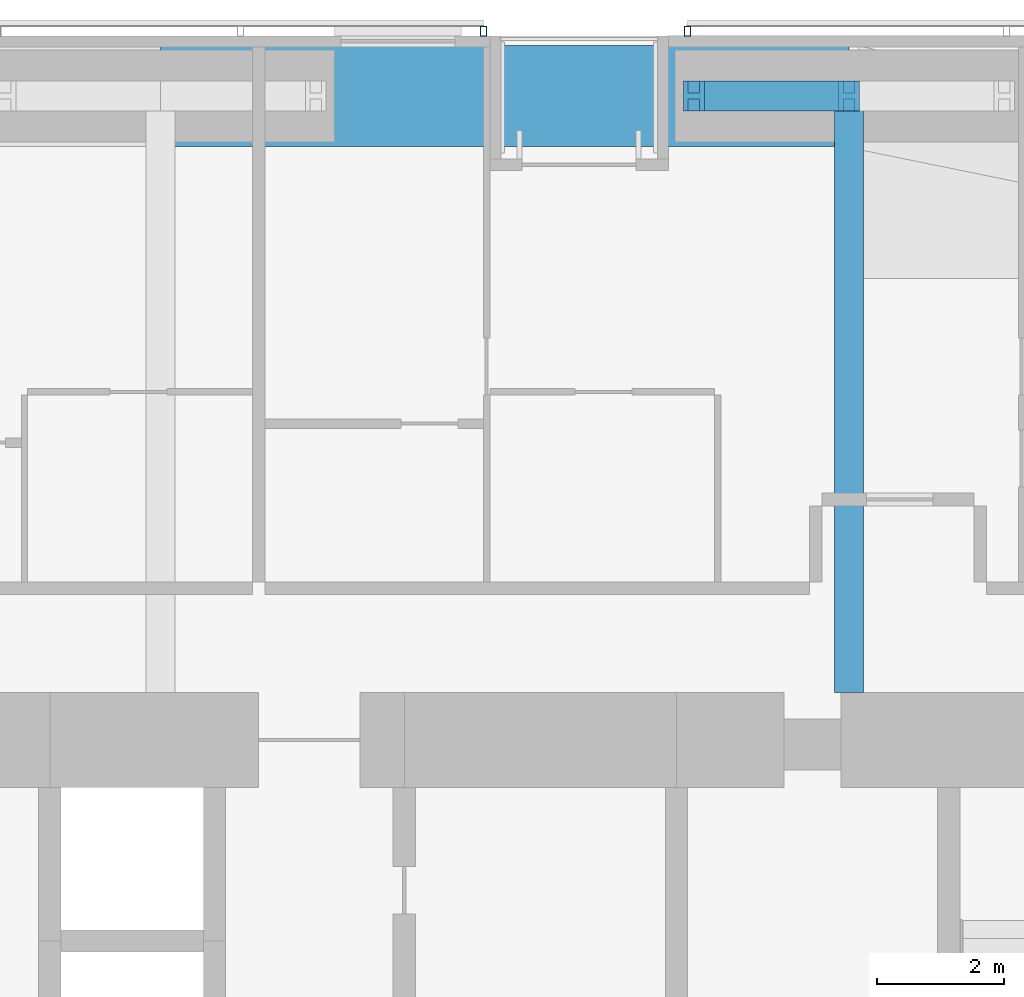
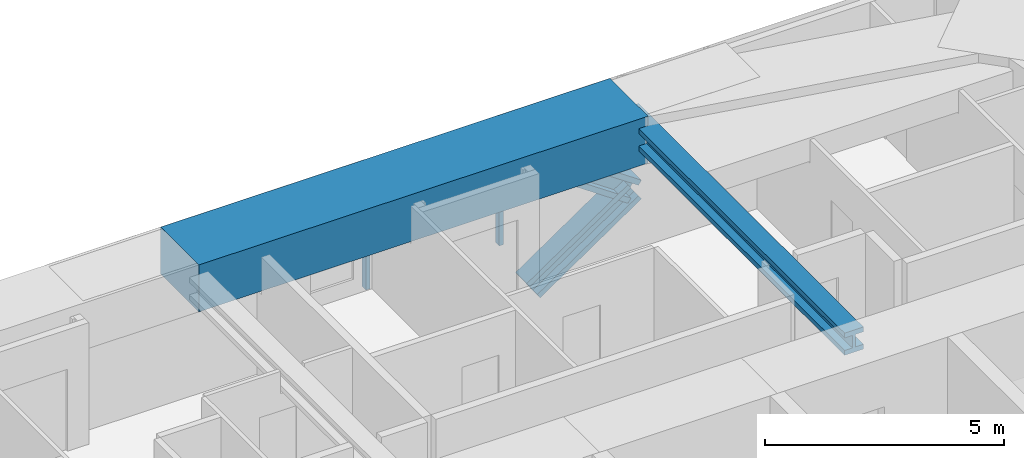
# One storey, part 14 of 24: 4 members, 2 beams, 2 elements without a shape of their own.
"""IFC4 building model written with IfcOpenShell, lengths in metres."""

from ifc_helpers import new_model, si_unit, direction, frame, origin, origin_2d, place, context, subcontext, project, spatial, rectangle, hollow_rectangle, i_section, extrude, material, material_profile, profile_set, type_object, element, aggregate, save


model = new_model("IFC4")

# Units and contexts
model_context = context("Model", 3, precision=1e-05, world=origin(), true_north=direction((0.0, 1.0)))
body_context = subcontext(model_context, "Body", "Model", "MODEL_VIEW")
ifc_project = project(units=[si_unit("LENGTHUNIT", "METRE"), si_unit("AREAUNIT", "SQUARE_METRE"), si_unit("VOLUMEUNIT", "CUBIC_METRE"), si_unit("PLANEANGLEUNIT", "RADIAN"), si_unit("MASSUNIT", "GRAM", prefix="KILO")], contexts=[model_context])

# Site, building, storey
site_placement = place(None, origin())
site = spatial("IfcSite", under=ifc_project, at=site_placement, CompositionType="ELEMENT")
building_placement = place(site_placement, origin())
building = spatial("IfcBuilding", under=site, at=building_placement, Name="Jalousie Tower", CompositionType="ELEMENT")
storey_placement = place(building_placement, frame((0.0, 0.0, 124.949951171875)))
storey = spatial("IfcBuildingStorey", under=building, at=storey_placement, Name="L34", CompositionType="ELEMENT", Elevation=124.949951171875)

# Beam
ifc_material_1 = material(Name="Steel ASTM A992 Grade 50", Category="steel")
ifc_material_profile_1 = material_profile(ifc_material_1, i_section(OverallWidth=0.45458984375, OverallDepth=0.569091796875, WebThickness=0.077880859375, FlangeThickness=0.124755859375, at=origin_2d()), Name="W14X730")
ifc_profile_set_1 = profile_set([ifc_material_profile_1], Name="Steel ASTM A992 Grade 50")
beam_type_1 = type_object("IfcBeamType", Name="LEAN COLLECTOR W14X730", PredefinedType="BEAM", material=ifc_profile_set_1)
beam_1_placement = place(storey_placement, frame((38.625, 37.050048828125, 2.825439453125), z_axis=(0.0, -1.0, 0.0), x_axis=(1.0, 0.0, 0.0)))
element("IfcBeam", 1, at=beam_1_placement, inside=storey, type_object=beam_type_1, Name="Lean collector under L35", PredefinedType="BEAM", context=body_context, shape_type="SweptSolid", body=[
    extrude(i_section(OverallWidth=0.45458984375, OverallDepth=0.569091796875, WebThickness=0.077880859375, FlangeThickness=0.124755859375, at=origin_2d()), origin(), (0.0, 0.0, 1.0), 9.425048828125),
])

# Members
ifc_material_2 = material(Name="Steel ASTM A992 Grade 50", Category="steel")
ifc_material_profile_2 = material_profile(ifc_material_2, i_section(OverallWidth=0.472412109375, OverallDepth=0.5791015625, WebThickness=0.094970703125, FlangeThickness=0.1298828125, at=origin_2d()), Name="W14X808")
ifc_profile_set_2 = profile_set([ifc_material_profile_2], Name="Steel ASTM A992 Grade 50")
member_type_1 = type_object("IfcMemberType", Name="PERIMETER BRACE W14X808", PredefinedType="BRACE", material=ifc_profile_set_2)
for number, where, z_axis, x_axis, name in (
    (2, (36.175048828125, 37.050048828125, -0.599853515625), (0.825539243753, 0.0, 0.564344714713), (0.0, 1.0, 0.0), "Perimeter brace 09 L34 part 1"),
    (3, (38.625, 37.050048828125, 1.074951171875), (-0.825500916831, 0.0, 0.564400776321), (0.0, -1.0, 0.0), "Perimeter brace 09 L34 part 4"),
):
    element("IfcMember", number, at=place(storey_placement, frame(where, z_axis=z_axis, x_axis=x_axis)), inside=storey, type_object=member_type_1, Name=name, PredefinedType="BRACE", context=body_context, shape_type="SweptSolid", body=[
        extrude(i_section(OverallWidth=0.472412109375, OverallDepth=0.5791015625, WebThickness=0.094970703125, FlangeThickness=0.1298828125, at=origin_2d()), origin(), (0.0, 0.0, 1.0), 2.9677734375),
    ])

# Beam
ifc_material_3 = material(Name="Concrete f'c 40 MPa", Category="concrete")
ifc_material_profile_3 = material_profile(ifc_material_3, rectangle(XDim=1.60009765625, YDim=1.199951171875, at=origin_2d()), Name="RC 1600x1200")
ifc_profile_set_3 = profile_set([ifc_material_profile_3], Name="Concrete f'c 40 MPa")
beam_type_2 = type_object("IfcBeamType", Name="RC BEAM 1600x1200", PredefinedType="BEAM", material=ifc_profile_set_3)
beam_2_placement = place(storey_placement, frame((38.625, 37.050048828125, 2.75), z_axis=(-1.0, 0.0, 0.0), x_axis=(0.0, -1.0, 0.0)))
element("IfcBeam", 4, at=beam_2_placement, inside=storey, type_object=beam_type_2, Name="Edge band beam 09-10 under L35", PredefinedType="BEAM", context=body_context, shape_type="SweptSolid", body=[
    extrude(rectangle(XDim=1.60009765625, YDim=1.199951171875, at=origin_2d()), origin(), (0.0, 0.0, 1.0), 10.875),
])

# Curtain wall, member
ifc_material_4 = material(Name="Perforated aluminium sheet", Category="aluminium")
curtain_wall_type = type_object("IfcCurtainWallType", Name="SOLAR SCREEN SS-1", PredefinedType="USERDEFINED", material=ifc_material_4)
curtain_wall_1_placement = place(storey_placement, origin())
curtain_wall_1 = element("IfcCurtainWall", 5, at=curtain_wall_1_placement, inside=storey, type_object=curtain_wall_type, Name="Solar screen L34", ObjectType="SOLAR SCREEN SS-1", PredefinedType="USERDEFINED")
ifc_material_5 = material(Name="Steel ASTM A500 Grade C", Category="steel")
ifc_material_profile_4 = material_profile(ifc_material_5, hollow_rectangle(XDim=0.1015625, YDim=0.15234375, WallThickness=0.00634765625, at=origin_2d()), Name="HSS6X4X1/4")
ifc_profile_set_4 = profile_set([ifc_material_profile_4], Name="Steel ASTM A500 Grade C")
member_type_2 = type_object("IfcMemberType", Name="SOLAR SCREEN SS-1 MULLION", PredefinedType="MULLION", material=ifc_profile_set_4)
member_1_placement = place(storey_placement, frame((36.074951171875, 38.0712890625, -0.119873046875), z_axis=(0.0, 0.0, 1.0), x_axis=(-1.0, 0.0, 0.0)))
member_1 = element("IfcMember", 6, at=member_1_placement, type_object=member_type_2, Name="SS1 post 3", PredefinedType="MULLION", context=body_context, shape_type="SweptSolid", body=[
    extrude(hollow_rectangle(XDim=0.1015625, YDim=0.15234375, WallThickness=0.00634765625, at=origin_2d()), origin(), (0.0, 0.0, 1.0), 3.22998046875),
])
aggregate(curtain_wall_1, [member_1])

curtain_wall_2_placement = place(storey_placement, origin())
curtain_wall_2 = element("IfcCurtainWall", 7, at=curtain_wall_2_placement, inside=storey, type_object=curtain_wall_type, Name="Solar screen L34", ObjectType="SOLAR SCREEN SS-1", PredefinedType="USERDEFINED")
member_2_placement = place(storey_placement, frame((32.85009765625, 38.0712890625, -0.119873046875), z_axis=(0.0, 0.0, 1.0), x_axis=(-1.0, 0.0, 0.0)))
member_2 = element("IfcMember", 8, at=member_2_placement, type_object=member_type_2, Name="SS1 post 1", PredefinedType="MULLION", context=body_context, shape_type="SweptSolid", body=[
    extrude(hollow_rectangle(XDim=0.1015625, YDim=0.15234375, WallThickness=0.00634765625, at=origin_2d()), origin(), (0.0, 0.0, 1.0), 3.22998046875),
])
aggregate(curtain_wall_2, [member_2])

save(model, "model.ifc")
